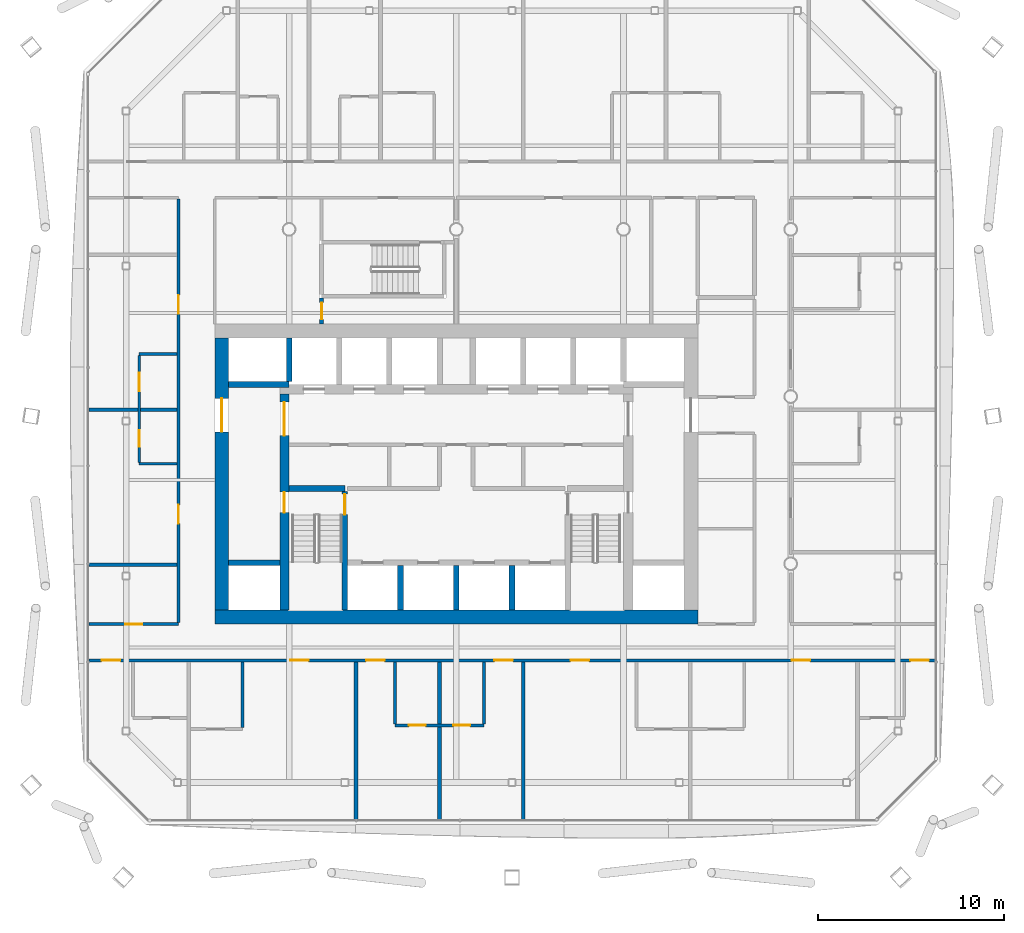
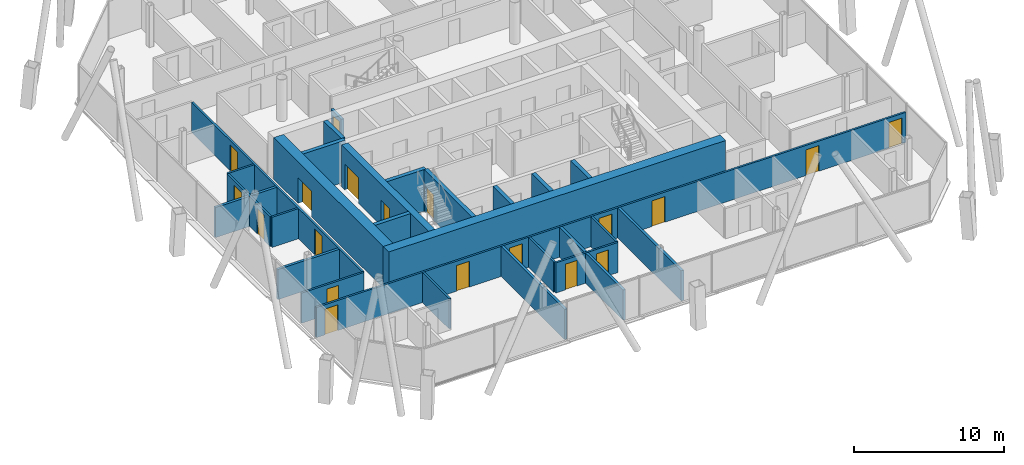
# One storey, part 14 of 23: 27 walls, 19 doors, 19 openings.
"""IFC4 building model written with IfcOpenShell, lengths in metres."""

from ifc_helpers import new_model, si_unit, direction, frame, frame_2d, origin, place, context, subcontext, project, spatial, rectangle, extrude, material, layer, layer_set, type_object, element, fill, save


model = new_model("IFC4")

# Units and contexts
model_context = context("Model", 3, precision=1e-05, world=origin(), true_north=direction((0.0, 1.0)))
body_context = subcontext(model_context, "Body", "Model", "MODEL_VIEW")
ifc_project = project(units=[si_unit("LENGTHUNIT", "METRE"), si_unit("AREAUNIT", "SQUARE_METRE"), si_unit("VOLUMEUNIT", "CUBIC_METRE"), si_unit("PLANEANGLEUNIT", "RADIAN"), si_unit("MASSUNIT", "GRAM", prefix="KILO")], contexts=[model_context])

# Site, building, storey
site_placement = place(None, origin())
site = spatial("IfcSite", under=ifc_project, at=site_placement, CompositionType="ELEMENT")
building_placement = place(site_placement, origin())
building = spatial("IfcBuilding", under=site, at=building_placement, Name="Tskaro Facet Tower", CompositionType="ELEMENT")
storey_placement = place(building_placement, frame((0.0, 0.0, 131.699951171875)))
storey = spatial("IfcBuildingStorey", under=building, at=storey_placement, Name="L31", CompositionType="ELEMENT", Elevation=131.699951171875)

# Walls
ifc_material_1 = material(Name="Concrete C60/75", Category="concrete")
ifc_layer_1 = layer(ifc_material_1, 0.300048828125, Name="Concrete C60/75")
ifc_layer_set_1 = layer_set([ifc_layer_1], Name="Concrete C60/75")
wall_type_1 = type_object("IfcWallType", Name="CORE-SHAFT", PredefinedType="SHEAR", material=ifc_layer_set_1)
wall_1_placement = place(storey_placement, frame((-12.25, -8.949951171875, 0.0), z_axis=(0.0, 0.0, 1.0), x_axis=(1.0, 0.0, 0.0)))
element("IfcWall", 1, at=wall_1_placement, inside=storey, type_object=wall_type_1, Name="Shaft wall W011", PredefinedType="SHEAR", context=body_context, shape_type="SweptSolid", body=[
    extrude(rectangle(XDim=2.75, YDim=0.300048828125, at=frame_2d((1.375, 0.0))), origin(), (0.0, 0.0, 1.0), 3.400146484375),
])
wall_2_placement = place(storey_placement, frame((-9.0, -4.949951171875, 0.0), z_axis=(0.0, 0.0, 1.0), x_axis=(1.0, 0.0, 0.0)))
element("IfcWall", 2, at=wall_2_placement, inside=storey, type_object=wall_type_1, Name="Shaft wall W016", PredefinedType="SHEAR", context=body_context, shape_type="SweptSolid", body=[
    extrude(rectangle(XDim=3.0, YDim=0.300048828125, at=frame_2d((1.5, 0.0))), origin(), (0.0, 0.0, 1.0), 3.400146484375),
])
wall_3_placement = place(storey_placement, frame((-9.0, 0.64990234375, 0.0), z_axis=(0.0, 0.0, 1.0), x_axis=(-1.0, 0.0, 0.0)))
element("IfcWall", 3, at=wall_3_placement, inside=storey, type_object=wall_type_1, Name="Shaft wall W027", PredefinedType="SHEAR", context=body_context, shape_type="SweptSolid", body=[
    extrude(rectangle(XDim=3.25, YDim=0.300048828125, at=frame_2d((1.625, 0.0))), origin(), (0.0, 0.0, 1.0), 3.400146484375),
])
wall_4_placement = place(storey_placement, frame((-9.0, 0.800048828125, 0.0), z_axis=(0.0, 0.0, 1.0), x_axis=(0.0, 1.0, 0.0)))
element("IfcWall", 4, at=wall_4_placement, inside=storey, type_object=wall_type_1, Name="Shaft wall W060", PredefinedType="SHEAR", context=body_context, shape_type="SweptSolid", body=[
    extrude(rectangle(XDim=2.349853515625, YDim=0.300048828125, at=frame_2d((1.1748046875, 0.0))), origin(), (0.0, 0.0, 1.0), 3.400146484375),
])

# Wall, opening, door
wall_5_placement = place(storey_placement, frame((-6.0, -11.5, 0.0), z_axis=(0.0, 0.0, 1.0), x_axis=(0.0, 1.0, 0.0)))
wall_5 = element("IfcWall", 5, at=wall_5_placement, inside=storey, type_object=wall_type_1, Name="Shaft wall W067", PredefinedType="SHEAR", context=body_context, shape_type="SweptSolid", body=[
    extrude(rectangle(XDim=6.39990234375, YDim=0.300048828125, at=frame_2d((3.199951171875, 0.0))), origin(), (0.0, 0.0, 1.0), 3.400146484375),
])
opening_1_placement = place(wall_5_placement, frame((5.14990234375, 0.0, 0.0)))
opening_1 = element("IfcOpeningElement", 6, at=opening_1_placement, cuts=wall_5, Name="Opening ST-1-D1", PredefinedType="OPENING", context=body_context, shape_type="SweptSolid", body=[
    extrude(rectangle(XDim=1.10009765625, YDim=2.10009765625, at=frame_2d((0.550048828125, 1.050048828125))), frame((0.0, 0.159912109375, 0.0), z_axis=(0.0, -1.0, 0.0), x_axis=(1.0, 0.0, 0.0)), (0.0, 0.0, 1.0), 0.320068359375),
])
ifc_material_2 = material(Name="Steel", Category="steel")
door_type_1 = type_object("IfcDoorType", Name="D-STAIR", OperationType="NOTDEFINED", PredefinedType="DOOR", material=ifc_material_2)
door_1_placement = place(opening_1_placement, origin())
door_1 = element("IfcDoor", 7, at=door_1_placement, inside=storey, type_object=door_type_1, Name="Stair door 1", OperationType="SINGLE_SWING_LEFT", OverallHeight=2.10009765625, OverallWidth=1.10009765625, PredefinedType="DOOR", context=body_context, shape_type="SweptSolid", body=[
    extrude(rectangle(XDim=1.10009765625, YDim=2.10009765625, at=frame_2d((0.550048828125, 1.050048828125))), frame((0.0, 0.02490234375, 0.0), z_axis=(0.0, -1.0, 0.0), x_axis=(1.0, 0.0, 0.0)), (0.0, 0.0, 1.0), 0.050048828125),
])
fill(opening_1, door_1)

# Walls
for number, where, z_axis, x_axis, name in (
    (8, (-3.0, -11.5, 0.0), (0.0, 0.0, 1.0), (0.0, 1.0, 0.0), "Shaft wall W073"),
    (9, (0.0, -11.5, 0.0), (0.0, 0.0, 1.0), (0.0, 1.0, 0.0), "Shaft wall W079"),
    (10, (3.0, -11.5, 0.0), (0.0, 0.0, 1.0), (0.0, 1.0, 0.0), "Shaft wall W085"),
):
    element("IfcWall", number, at=place(storey_placement, frame(where, z_axis=z_axis, x_axis=x_axis)), inside=storey, type_object=wall_type_1, Name=name, PredefinedType="SHEAR", context=body_context, shape_type="SweptSolid", body=[
        extrude(rectangle(XDim=2.39990234375, YDim=0.300048828125, at=frame_2d((1.199951171875, 0.0))), origin(), (0.0, 0.0, 1.0), 3.400146484375),
    ])

# Wall, openings, doors
ifc_material_3 = material(Name="Concrete C40/50", Category="concrete")
ifc_layer_2 = layer(ifc_material_3, 0.5, Name="Concrete C40/50")
ifc_layer_set_2 = layer_set([ifc_layer_2], Name="Concrete C40/50")
wall_type_2 = type_object("IfcWallType", Name="Core wall 500", PredefinedType="SHEAR", material=ifc_layer_set_2)
wall_6_placement = place(storey_placement, frame((-9.25, -11.5, 0.0), z_axis=(0.0, 0.0, 1.0), x_axis=(0.0, 1.0, 0.0)))
wall_6 = element("IfcWall", 11, at=wall_6_placement, inside=storey, type_object=wall_type_2, Name="Core wall CW-Z3W", PredefinedType="SHEAR", context=body_context, shape_type="SweptSolid", body=[
    extrude(rectangle(XDim=11.64990234375, YDim=0.5, at=frame_2d((5.824951171875, 0.0))), origin(), (0.0, 0.0, 1.0), 3.400146484375),
])
opening_2_placement = place(wall_6_placement, frame((9.39990234375, 0.0, 0.0)))
opening_2 = element("IfcOpeningElement", 12, at=opening_2_placement, cuts=wall_6, Name="Opening T9-D29", PredefinedType="OPENING", context=body_context, shape_type="SweptSolid", body=[
    extrude(rectangle(XDim=1.800048828125, YDim=2.10009765625, at=frame_2d((0.89990234375, 1.050048828125))), frame((0.0, 0.260009765625, 0.0), z_axis=(0.0, -1.0, 0.0), x_axis=(1.0, 0.0, 0.0)), (0.0, 0.0, 1.0), 0.52001953125),
])
opening_3_placement = place(wall_6_placement, frame((5.25, 0.0, 0.0)))
opening_3 = element("IfcOpeningElement", 13, at=opening_3_placement, cuts=wall_6, Name="Opening ST-1-D2", PredefinedType="OPENING", context=body_context, shape_type="SweptSolid", body=[
    extrude(rectangle(XDim=1.10009765625, YDim=2.10009765625, at=frame_2d((0.550048828125, 1.050048828125))), frame((0.0, 0.260009765625, 0.0), z_axis=(0.0, -1.0, 0.0), x_axis=(1.0, 0.0, 0.0)), (0.0, 0.0, 1.0), 0.52001953125),
])
door_type_2 = type_object("IfcDoorType", Name="D-CORE-PAIR", OperationType="NOTDEFINED", PredefinedType="DOOR", material=ifc_material_2)
door_2_placement = place(opening_2_placement, origin())
door_2 = element("IfcDoor", 14, at=door_2_placement, inside=storey, type_object=door_type_2, Name="Door T9-D29", OperationType="DOUBLE_DOOR_SINGLE_SWING", OverallHeight=2.10009765625, OverallWidth=1.800048828125, PredefinedType="DOOR", context=body_context, shape_type="SweptSolid", body=[
    extrude(rectangle(XDim=1.800048828125, YDim=2.10009765625, at=frame_2d((0.89990234375, 1.050048828125))), frame((0.0, 0.02490234375, 0.0), z_axis=(0.0, -1.0, 0.0), x_axis=(1.0, 0.0, 0.0)), (0.0, 0.0, 1.0), 0.050048828125),
])
fill(opening_2, door_2)
door_3_placement = place(opening_3_placement, origin())
door_3 = element("IfcDoor", 15, at=door_3_placement, inside=storey, type_object=door_type_1, Name="Stair door 1 west", OperationType="SINGLE_SWING_LEFT", OverallHeight=2.10009765625, OverallWidth=1.10009765625, PredefinedType="DOOR", context=body_context, shape_type="SweptSolid", body=[
    extrude(rectangle(XDim=1.10009765625, YDim=2.10009765625, at=frame_2d((0.550048828125, 1.050048828125))), frame((0.0, 0.02490234375, 0.0), z_axis=(0.0, -1.0, 0.0), x_axis=(1.0, 0.0, 0.0)), (0.0, 0.0, 1.0), 0.050048828125),
])
fill(opening_3, door_3)

# Wall
ifc_material_4 = material(Name="Concrete C50/60", Category="concrete")
ifc_layer_3 = layer(ifc_material_4, 0.75, Name="Concrete C50/60")
ifc_layer_set_3 = layer_set([ifc_layer_3], Name="Concrete C50/60")
wall_type_3 = type_object("IfcWallType", Name="Core wall 750", PredefinedType="SHEAR", material=ifc_layer_set_3)
wall_7_placement = place(storey_placement, frame((-13.0, -11.875, 0.0), z_axis=(0.0, 0.0, 1.0), x_axis=(1.0, 0.0, 0.0)))
element("IfcWall", 16, at=wall_7_placement, inside=storey, type_object=wall_type_3, Name="Core wall CW-Z2S", PredefinedType="SHEAR", context=body_context, shape_type="SweptSolid", body=[
    extrude(rectangle(XDim=26.0, YDim=0.75, at=frame_2d((13.0, 0.0))), origin(), (0.0, 0.0, 1.0), 3.400146484375),
])

# Wall, opening, door
wall_8_placement = place(storey_placement, frame((-12.625, -11.5, 0.0), z_axis=(0.0, 0.0, 1.0), x_axis=(0.0, 1.0, 0.0)))
wall_8 = element("IfcWall", 17, at=wall_8_placement, inside=storey, type_object=wall_type_3, Name="Core wall CW-Z2W", PredefinedType="SHEAR", context=body_context, shape_type="SweptSolid", body=[
    extrude(rectangle(XDim=14.64990234375, YDim=0.75, at=frame_2d((7.324951171875, 0.0))), origin(), (0.0, 0.0, 1.0), 3.400146484375),
])
opening_4_placement = place(wall_8_placement, frame((9.60009765625, 0.0, 0.0)))
opening_4 = element("IfcOpeningElement", 18, at=opening_4_placement, cuts=wall_8, Name="Opening T9-D31", PredefinedType="OPENING", context=body_context, shape_type="SweptSolid", body=[
    extrude(rectangle(XDim=1.800048828125, YDim=2.10009765625, at=frame_2d((0.89990234375, 1.050048828125))), frame((0.0, 0.385009765625, 0.0), z_axis=(0.0, -1.0, 0.0), x_axis=(1.0, 0.0, 0.0)), (0.0, 0.0, 1.0), 0.77001953125),
])
door_4_placement = place(opening_4_placement, origin())
door_4 = element("IfcDoor", 19, at=door_4_placement, inside=storey, type_object=door_type_2, Name="Door T9-D31", OperationType="DOUBLE_DOOR_SINGLE_SWING", OverallHeight=2.10009765625, OverallWidth=1.800048828125, PredefinedType="DOOR", context=body_context, shape_type="SweptSolid", body=[
    extrude(rectangle(XDim=1.800048828125, YDim=2.10009765625, at=frame_2d((0.89990234375, 1.050048828125))), frame((0.0, 0.02490234375, 0.0), z_axis=(0.0, -1.0, 0.0), x_axis=(1.0, 0.0, 0.0)), (0.0, 0.0, 1.0), 0.050048828125),
])
fill(opening_4, door_4)

# Wall, openings, doors
ifc_material_5 = material(Name="Gypsum board on steel studs", Category="steel")
ifc_layer_4 = layer(ifc_material_5, 0.14990234375, Name="Gypsum board on steel studs")
ifc_layer_set_4 = layer_set([ifc_layer_4], Name="Gypsum board on steel studs")
wall_type_4 = type_object("IfcWallType", Name="PART-CORR", PredefinedType="PARTITIONING", material=ifc_layer_set_4)
wall_9_placement = place(storey_placement, frame((-3.300048828125, -17.699951171875, 0.0), z_axis=(0.0, 0.0, 1.0), x_axis=(1.0, 0.0, 0.0)))
wall_9 = element("IfcWall", 20, at=wall_9_placement, inside=storey, type_object=wall_type_4, Name="Corridor wall W003", PredefinedType="PARTITIONING", context=body_context, shape_type="SweptSolid", body=[
    extrude(rectangle(XDim=4.800048828125, YDim=0.14990234375, at=frame_2d((2.39990234375, 0.0))), origin(), (0.0, 0.0, 1.0), 2.4599609375),
])
opening_5_placement = place(wall_9_placement, frame((0.75, 0.0, 0.0)))
opening_5 = element("IfcOpeningElement", 21, at=opening_5_placement, cuts=wall_9, Name="Opening T9-D04", PredefinedType="OPENING", context=body_context, shape_type="SweptSolid", body=[
    extrude(rectangle(XDim=0.89990234375, YDim=2.10009765625, at=frame_2d((0.449951171875, 1.050048828125))), frame((0.0, 0.0849609375, 0.0), z_axis=(0.0, -1.0, 0.0), x_axis=(1.0, 0.0, 0.0)), (0.0, 0.0, 1.0), 0.169921875),
])
opening_6_placement = place(wall_9_placement, frame((3.14990234375, 0.0, 0.0)))
opening_6 = element("IfcOpeningElement", 22, at=opening_6_placement, cuts=wall_9, Name="Opening T9-D05", PredefinedType="OPENING", context=body_context, shape_type="SweptSolid", body=[
    extrude(rectangle(XDim=0.89990234375, YDim=2.10009765625, at=frame_2d((0.449951171875, 1.050048828125))), frame((0.0, 0.0849609375, 0.0), z_axis=(0.0, -1.0, 0.0), x_axis=(1.0, 0.0, 0.0)), (0.0, 0.0, 1.0), 0.169921875),
])
ifc_material_6 = material(Name="Timber", Category="wood")
door_type_3 = type_object("IfcDoorType", Name="D-ROOM", OperationType="NOTDEFINED", PredefinedType="DOOR", material=ifc_material_6)
door_5_placement = place(opening_5_placement, origin())
door_5 = element("IfcDoor", 23, at=door_5_placement, inside=storey, type_object=door_type_3, Name="Door T9-D04", OperationType="SINGLE_SWING_LEFT", OverallHeight=2.10009765625, OverallWidth=0.89990234375, PredefinedType="DOOR", context=body_context, shape_type="SweptSolid", body=[
    extrude(rectangle(XDim=0.89990234375, YDim=2.10009765625, at=frame_2d((0.449951171875, 1.050048828125))), frame((0.0, 0.02490234375, 0.0), z_axis=(0.0, -1.0, 0.0), x_axis=(1.0, 0.0, 0.0)), (0.0, 0.0, 1.0), 0.050048828125),
])
fill(opening_5, door_5)
door_6_placement = place(opening_6_placement, origin())
door_6 = element("IfcDoor", 24, at=door_6_placement, inside=storey, type_object=door_type_3, Name="Door T9-D05", OperationType="SINGLE_SWING_LEFT", OverallHeight=2.10009765625, OverallWidth=0.89990234375, PredefinedType="DOOR", context=body_context, shape_type="SweptSolid", body=[
    extrude(rectangle(XDim=0.89990234375, YDim=2.10009765625, at=frame_2d((0.449951171875, 1.050048828125))), frame((0.0, 0.02490234375, 0.0), z_axis=(0.0, -1.0, 0.0), x_axis=(1.0, 0.0, 0.0)), (0.0, 0.0, 1.0), 0.050048828125),
])
fill(opening_6, door_6)

wall_10_placement = place(storey_placement, frame((25.77001953125, -14.199951171875, 0.0), z_axis=(0.0, 0.0, 1.0), x_axis=(-1.0, 0.0, 0.0)))
wall_10 = element("IfcWall", 25, at=wall_10_placement, inside=storey, type_object=wall_type_4, Name="Corridor wall W006", PredefinedType="PARTITIONING", context=body_context, shape_type="SweptSolid", body=[
    extrude(rectangle(XDim=45.5400390625, YDim=0.14990234375, at=frame_2d((22.77001953125, 0.0))), origin(), (0.0, 0.0, 1.0), 2.4599609375),
])
opening_7_placement = place(wall_10_placement, frame((43.8544921875, 0.0, 0.0)))
opening_7 = element("IfcOpeningElement", 26, at=opening_7_placement, cuts=wall_10, Name="Opening T9-D08", PredefinedType="OPENING", context=body_context, shape_type="SweptSolid", body=[
    extrude(rectangle(XDim=1.0, YDim=2.10009765625, at=frame_2d((0.5, 1.050048828125))), frame((0.0, 0.0849609375, 0.0), z_axis=(0.0, -1.0, 0.0), x_axis=(1.0, 0.0, 0.0)), (0.0, 0.0, 1.0), 0.169921875),
])
opening_8_placement = place(wall_10_placement, frame((33.719482421875, 0.0, 0.0)))
opening_8 = element("IfcOpeningElement", 27, at=opening_8_placement, cuts=wall_10, Name="Opening T9-D09", PredefinedType="OPENING", context=body_context, shape_type="SweptSolid", body=[
    extrude(rectangle(XDim=1.0, YDim=2.10009765625, at=frame_2d((0.5, 1.050048828125))), frame((0.0, 0.0849609375, 0.0), z_axis=(0.0, -1.0, 0.0), x_axis=(1.0, 0.0, 0.0)), (0.0, 0.0, 1.0), 0.169921875),
])
opening_9_placement = place(wall_10_placement, frame((29.6201171875, 0.0, 0.0)))
opening_9 = element("IfcOpeningElement", 28, at=opening_9_placement, cuts=wall_10, Name="Opening T9-D10", PredefinedType="OPENING", context=body_context, shape_type="SweptSolid", body=[
    extrude(rectangle(XDim=1.0, YDim=2.10009765625, at=frame_2d((0.5, 1.050048828125))), frame((0.0, 0.0849609375, 0.0), z_axis=(0.0, -1.0, 0.0), x_axis=(1.0, 0.0, 0.0)), (0.0, 0.0, 1.0), 0.169921875),
])
opening_10_placement = place(wall_10_placement, frame((22.719970703125, 0.0, 0.0)))
opening_10 = element("IfcOpeningElement", 29, at=opening_10_placement, cuts=wall_10, Name="Opening T9-D11", PredefinedType="OPENING", context=body_context, shape_type="SweptSolid", body=[
    extrude(rectangle(XDim=1.0, YDim=2.10009765625, at=frame_2d((0.5, 1.050048828125))), frame((0.0, 0.0849609375, 0.0), z_axis=(0.0, -1.0, 0.0), x_axis=(1.0, 0.0, 0.0)), (0.0, 0.0, 1.0), 0.169921875),
])
opening_11_placement = place(wall_10_placement, frame((18.6201171875, 0.0, 0.0)))
opening_11 = element("IfcOpeningElement", 30, at=opening_11_placement, cuts=wall_10, Name="Opening T9-D12", PredefinedType="OPENING", context=body_context, shape_type="SweptSolid", body=[
    extrude(rectangle(XDim=1.0, YDim=2.10009765625, at=frame_2d((0.5, 1.050048828125))), frame((0.0, 0.0849609375, 0.0), z_axis=(0.0, -1.0, 0.0), x_axis=(1.0, 0.0, 0.0)), (0.0, 0.0, 1.0), 0.169921875),
])
opening_12_placement = place(wall_10_placement, frame((6.720458984375, 0.0, 0.0)))
opening_12 = element("IfcOpeningElement", 31, at=opening_12_placement, cuts=wall_10, Name="Opening T9-D13", PredefinedType="OPENING", context=body_context, shape_type="SweptSolid", body=[
    extrude(rectangle(XDim=1.0, YDim=2.10009765625, at=frame_2d((0.5, 1.050048828125))), frame((0.0, 0.0849609375, 0.0), z_axis=(0.0, -1.0, 0.0), x_axis=(1.0, 0.0, 0.0)), (0.0, 0.0, 1.0), 0.169921875),
])
opening_13_placement = place(wall_10_placement, frame((0.325439453125, 0.0, 0.0)))
opening_13 = element("IfcOpeningElement", 32, at=opening_13_placement, cuts=wall_10, Name="Opening T9-D14", PredefinedType="OPENING", context=body_context, shape_type="SweptSolid", body=[
    extrude(rectangle(XDim=1.0, YDim=2.10009765625, at=frame_2d((0.5, 1.050048828125))), frame((0.0, 0.0849609375, 0.0), z_axis=(0.0, -1.0, 0.0), x_axis=(1.0, 0.0, 0.0)), (0.0, 0.0, 1.0), 0.169921875),
])
door_type_4 = type_object("IfcDoorType", Name="D-ENTRY", OperationType="NOTDEFINED", PredefinedType="DOOR", material=ifc_material_6)
door_7_placement = place(opening_7_placement, origin())
door_7 = element("IfcDoor", 33, at=door_7_placement, inside=storey, type_object=door_type_4, Name="Door T9-D08", OperationType="SINGLE_SWING_LEFT", OverallHeight=2.10009765625, OverallWidth=1.0, PredefinedType="DOOR", context=body_context, shape_type="SweptSolid", body=[
    extrude(rectangle(XDim=1.0, YDim=2.10009765625, at=frame_2d((0.5, 1.050048828125))), frame((0.0, 0.02490234375, 0.0), z_axis=(0.0, -1.0, 0.0), x_axis=(1.0, 0.0, 0.0)), (0.0, 0.0, 1.0), 0.050048828125),
])
fill(opening_7, door_7)
door_8_placement = place(opening_8_placement, origin())
door_8 = element("IfcDoor", 34, at=door_8_placement, inside=storey, type_object=door_type_4, Name="Door T9-D09", OperationType="SINGLE_SWING_RIGHT", OverallHeight=2.10009765625, OverallWidth=1.0, PredefinedType="DOOR", context=body_context, shape_type="SweptSolid", body=[
    extrude(rectangle(XDim=1.0, YDim=2.10009765625, at=frame_2d((0.5, 1.050048828125))), frame((0.0, 0.02490234375, 0.0), z_axis=(0.0, -1.0, 0.0), x_axis=(1.0, 0.0, 0.0)), (0.0, 0.0, 1.0), 0.050048828125),
])
fill(opening_8, door_8)
door_9_placement = place(opening_9_placement, origin())
door_9 = element("IfcDoor", 35, at=door_9_placement, inside=storey, type_object=door_type_4, Name="Door T9-D10", OperationType="SINGLE_SWING_RIGHT", OverallHeight=2.10009765625, OverallWidth=1.0, PredefinedType="DOOR", context=body_context, shape_type="SweptSolid", body=[
    extrude(rectangle(XDim=1.0, YDim=2.10009765625, at=frame_2d((0.5, 1.050048828125))), frame((0.0, 0.02490234375, 0.0), z_axis=(0.0, -1.0, 0.0), x_axis=(1.0, 0.0, 0.0)), (0.0, 0.0, 1.0), 0.050048828125),
])
fill(opening_9, door_9)
door_10_placement = place(opening_10_placement, origin())
door_10 = element("IfcDoor", 36, at=door_10_placement, inside=storey, type_object=door_type_4, Name="Door T9-D11", OperationType="SINGLE_SWING_LEFT", OverallHeight=2.10009765625, OverallWidth=1.0, PredefinedType="DOOR", context=body_context, shape_type="SweptSolid", body=[
    extrude(rectangle(XDim=1.0, YDim=2.10009765625, at=frame_2d((0.5, 1.050048828125))), frame((0.0, 0.02490234375, 0.0), z_axis=(0.0, -1.0, 0.0), x_axis=(1.0, 0.0, 0.0)), (0.0, 0.0, 1.0), 0.050048828125),
])
fill(opening_10, door_10)
door_11_placement = place(opening_11_placement, origin())
door_11 = element("IfcDoor", 37, at=door_11_placement, inside=storey, type_object=door_type_4, Name="Door T9-D12", OperationType="SINGLE_SWING_LEFT", OverallHeight=2.10009765625, OverallWidth=1.0, PredefinedType="DOOR", context=body_context, shape_type="SweptSolid", body=[
    extrude(rectangle(XDim=1.0, YDim=2.10009765625, at=frame_2d((0.5, 1.050048828125))), frame((0.0, 0.02490234375, 0.0), z_axis=(0.0, -1.0, 0.0), x_axis=(1.0, 0.0, 0.0)), (0.0, 0.0, 1.0), 0.050048828125),
])
fill(opening_11, door_11)
door_12_placement = place(opening_12_placement, origin())
door_12 = element("IfcDoor", 38, at=door_12_placement, inside=storey, type_object=door_type_4, Name="Door T9-D13", OperationType="SINGLE_SWING_RIGHT", OverallHeight=2.10009765625, OverallWidth=1.0, PredefinedType="DOOR", context=body_context, shape_type="SweptSolid", body=[
    extrude(rectangle(XDim=1.0, YDim=2.10009765625, at=frame_2d((0.5, 1.050048828125))), frame((0.0, 0.02490234375, 0.0), z_axis=(0.0, -1.0, 0.0), x_axis=(1.0, 0.0, 0.0)), (0.0, 0.0, 1.0), 0.050048828125),
])
fill(opening_12, door_12)
door_13_placement = place(opening_13_placement, origin())
door_13 = element("IfcDoor", 39, at=door_13_placement, inside=storey, type_object=door_type_4, Name="Door T9-D14", OperationType="SINGLE_SWING_LEFT", OverallHeight=2.10009765625, OverallWidth=1.0, PredefinedType="DOOR", context=body_context, shape_type="SweptSolid", body=[
    extrude(rectangle(XDim=1.0, YDim=2.10009765625, at=frame_2d((0.5, 1.050048828125))), frame((0.0, 0.02490234375, 0.0), z_axis=(0.0, -1.0, 0.0), x_axis=(1.0, 0.0, 0.0)), (0.0, 0.0, 1.0), 0.050048828125),
])
fill(opening_13, door_13)

# Wall, opening, door
wall_11_placement = place(storey_placement, frame((-19.77001953125, -12.25, 0.0), z_axis=(0.0, 0.0, 1.0), x_axis=(1.0, 0.0, 0.0)))
wall_11 = element("IfcWall", 40, at=wall_11_placement, inside=storey, type_object=wall_type_4, Name="Corridor wall W007", PredefinedType="PARTITIONING", context=body_context, shape_type="SweptSolid", body=[
    extrude(rectangle(XDim=4.820068359375, YDim=0.14990234375, at=frame_2d((2.41015625, 0.0))), origin(), (0.0, 0.0, 1.0), 2.4599609375),
])
opening_14_placement = place(wall_11_placement, frame((1.9599609375, 0.0, 0.0)))
opening_14 = element("IfcOpeningElement", 41, at=opening_14_placement, cuts=wall_11, Name="Opening T9-D15", PredefinedType="OPENING", context=body_context, shape_type="SweptSolid", body=[
    extrude(rectangle(XDim=0.89990234375, YDim=2.10009765625, at=frame_2d((0.449951171875, 1.050048828125))), frame((0.0, 0.0849609375, 0.0), z_axis=(0.0, -1.0, 0.0), x_axis=(1.0, 0.0, 0.0)), (0.0, 0.0, 1.0), 0.169921875),
])
door_14_placement = place(opening_14_placement, origin())
door_14 = element("IfcDoor", 42, at=door_14_placement, inside=storey, type_object=door_type_3, Name="Door T9-D15", OperationType="SINGLE_SWING_LEFT", OverallHeight=2.10009765625, OverallWidth=0.89990234375, PredefinedType="DOOR", context=body_context, shape_type="SweptSolid", body=[
    extrude(rectangle(XDim=0.89990234375, YDim=2.10009765625, at=frame_2d((0.449951171875, 1.050048828125))), frame((0.0, 0.02490234375, 0.0), z_axis=(0.0, -1.0, 0.0), x_axis=(1.0, 0.0, 0.0)), (0.0, 0.0, 1.0), 0.050048828125),
])
fill(opening_14, door_14)

# Walls
for number, where, z_axis, x_axis, name in (
    (43, (-17.070068359375, -3.614990234375, 0.0), (0.0, 0.0, 1.0), (1.0, 0.0, 0.0), "Corridor wall W021"),
    (44, (-17.070068359375, 2.284912109375, 0.0), (0.0, 0.0, 1.0), (1.0, 0.0, 0.0), "Corridor wall W029"),
):
    element("IfcWall", number, at=place(storey_placement, frame(where, z_axis=z_axis, x_axis=x_axis)), inside=storey, type_object=wall_type_4, Name=name, PredefinedType="PARTITIONING", context=body_context, shape_type="SweptSolid", body=[
        extrude(rectangle(XDim=2.045166015625, YDim=0.14990234375, at=frame_2d((1.0224609375, 0.0))), origin(), (0.0, 0.0, 1.0), 2.4599609375),
    ])

# Wall, openings, doors
wall_12_placement = place(storey_placement, frame((-17.070068359375, 2.2099609375, 0.0), z_axis=(0.0, 0.0, 1.0), x_axis=(0.0, -1.0, 0.0)))
wall_12 = element("IfcWall", 45, at=wall_12_placement, inside=storey, type_object=wall_type_4, Name="Corridor wall W052", PredefinedType="PARTITIONING", context=body_context, shape_type="SweptSolid", body=[
    extrude(rectangle(XDim=5.75, YDim=0.14990234375, at=frame_2d((2.875, 0.0))), origin(), (0.0, 0.0, 1.0), 2.4599609375),
])
opening_15_placement = place(wall_12_placement, frame((4.02490234375, 0.0, 0.0)))
opening_15 = element("IfcOpeningElement", 46, at=opening_15_placement, cuts=wall_12, Name="Opening T9-D26", PredefinedType="OPENING", context=body_context, shape_type="SweptSolid", body=[
    extrude(rectangle(XDim=0.89990234375, YDim=2.10009765625, at=frame_2d((0.449951171875, 1.050048828125))), frame((0.0, 0.0849609375, 0.0), z_axis=(0.0, -1.0, 0.0), x_axis=(1.0, 0.0, 0.0)), (0.0, 0.0, 1.0), 0.169921875),
])
opening_16_placement = place(wall_12_placement, frame((0.925048828125, 0.0, 0.0)))
opening_16 = element("IfcOpeningElement", 47, at=opening_16_placement, cuts=wall_12, Name="Opening T9-D36", PredefinedType="OPENING", context=body_context, shape_type="SweptSolid", body=[
    extrude(rectangle(XDim=1.0, YDim=2.10009765625, at=frame_2d((0.5, 1.050048828125))), frame((0.0, 0.0849609375, 0.0), z_axis=(0.0, -1.0, 0.0), x_axis=(1.0, 0.0, 0.0)), (0.0, 0.0, 1.0), 0.169921875),
])
door_15_placement = place(opening_15_placement, origin())
door_15 = element("IfcDoor", 48, at=door_15_placement, inside=storey, type_object=door_type_3, Name="Door T9-D26", OperationType="SINGLE_SWING_RIGHT", OverallHeight=2.10009765625, OverallWidth=0.89990234375, PredefinedType="DOOR", context=body_context, shape_type="SweptSolid", body=[
    extrude(rectangle(XDim=0.89990234375, YDim=2.10009765625, at=frame_2d((0.449951171875, 1.050048828125))), frame((0.0, 0.02490234375, 0.0), z_axis=(0.0, -1.0, 0.0), x_axis=(1.0, 0.0, 0.0)), (0.0, 0.0, 1.0), 0.050048828125),
])
fill(opening_15, door_15)
door_type_5 = type_object("IfcDoorType", Name="D-ROOM-WIDE", OperationType="NOTDEFINED", PredefinedType="DOOR", material=ifc_material_6)
door_16_placement = place(opening_16_placement, origin())
door_16 = element("IfcDoor", 49, at=door_16_placement, inside=storey, type_object=door_type_5, Name="Door T9-D36", OperationType="SINGLE_SWING_RIGHT", OverallHeight=2.10009765625, OverallWidth=1.0, PredefinedType="DOOR", context=body_context, shape_type="SweptSolid", body=[
    extrude(rectangle(XDim=1.0, YDim=2.10009765625, at=frame_2d((0.5, 1.050048828125))), frame((0.0, 0.02490234375, 0.0), z_axis=(0.0, -1.0, 0.0), x_axis=(1.0, 0.0, 0.0)), (0.0, 0.0, 1.0), 0.050048828125),
])
fill(opening_16, door_16)

wall_13_placement = place(storey_placement, frame((-14.949951171875, -12.175048828125, 0.0), z_axis=(0.0, 0.0, 1.0), x_axis=(0.0, 1.0, 0.0)))
wall_13 = element("IfcWall", 50, at=wall_13_placement, inside=storey, type_object=wall_type_4, Name="Corridor wall W053", PredefinedType="PARTITIONING", context=body_context, shape_type="SweptSolid", body=[
    extrude(rectangle(XDim=22.800048828125, YDim=0.14990234375, at=frame_2d((11.39990234375, 0.0))), origin(), (0.0, 0.0, 1.0), 2.4599609375),
])
opening_17_placement = place(wall_13_placement, frame((5.339111328125, 0.0, 0.0)))
opening_17 = element("IfcOpeningElement", 51, at=opening_17_placement, cuts=wall_13, Name="Opening T9-D20", PredefinedType="OPENING", context=body_context, shape_type="SweptSolid", body=[
    extrude(rectangle(XDim=1.0, YDim=2.10009765625, at=frame_2d((0.5, 1.050048828125))), frame((0.0, 0.0849609375, 0.0), z_axis=(0.0, -1.0, 0.0), x_axis=(1.0, 0.0, 0.0)), (0.0, 0.0, 1.0), 0.169921875),
])
opening_18_placement = place(wall_13_placement, frame((16.630615234375, 0.0, 0.0)))
opening_18 = element("IfcOpeningElement", 52, at=opening_18_placement, cuts=wall_13, Name="Opening T9-D39", PredefinedType="OPENING", context=body_context, shape_type="SweptSolid", body=[
    extrude(rectangle(XDim=1.0, YDim=2.10009765625, at=frame_2d((0.5, 1.050048828125))), frame((0.0, 0.0849609375, 0.0), z_axis=(0.0, -1.0, 0.0), x_axis=(1.0, 0.0, 0.0)), (0.0, 0.0, 1.0), 0.169921875),
])
door_17_placement = place(opening_17_placement, origin())
door_17 = element("IfcDoor", 53, at=door_17_placement, inside=storey, type_object=door_type_4, Name="Door T9-D20", OperationType="SINGLE_SWING_RIGHT", OverallHeight=2.10009765625, OverallWidth=1.0, PredefinedType="DOOR", context=body_context, shape_type="SweptSolid", body=[
    extrude(rectangle(XDim=1.0, YDim=2.10009765625, at=frame_2d((0.5, 1.050048828125))), frame((0.0, 0.02490234375, 0.0), z_axis=(0.0, -1.0, 0.0), x_axis=(1.0, 0.0, 0.0)), (0.0, 0.0, 1.0), 0.050048828125),
])
fill(opening_17, door_17)
door_18_placement = place(opening_18_placement, origin())
door_18 = element("IfcDoor", 54, at=door_18_placement, inside=storey, type_object=door_type_4, Name="Door T9-D39", OperationType="SINGLE_SWING_LEFT", OverallHeight=2.10009765625, OverallWidth=1.0, PredefinedType="DOOR", context=body_context, shape_type="SweptSolid", body=[
    extrude(rectangle(XDim=1.0, YDim=2.10009765625, at=frame_2d((0.5, 1.050048828125))), frame((0.0, 0.02490234375, 0.0), z_axis=(0.0, -1.0, 0.0), x_axis=(1.0, 0.0, 0.0)), (0.0, 0.0, 1.0), 0.050048828125),
])
fill(opening_18, door_18)

# Walls
wall_14_placement = place(storey_placement, frame((-11.4990234375, -17.824951171875, 0.0), z_axis=(0.0, 0.0, 1.0), x_axis=(0.0, 1.0, 0.0)))
element("IfcWall", 55, at=wall_14_placement, inside=storey, type_object=wall_type_4, Name="Corridor wall W058", PredefinedType="PARTITIONING", context=body_context, shape_type="SweptSolid", body=[
    extrude(rectangle(XDim=3.550048828125, YDim=0.14990234375, at=frame_2d((1.77490234375, 0.0))), origin(), (0.0, 0.0, 1.0), 2.4599609375),
])
for number, where, z_axis, x_axis, name in (
    (56, (-3.300048828125, -17.625, 0.0), (0.0, 0.0, 1.0), (0.0, 1.0, 0.0), "Corridor wall W072"),
    (57, (1.5, -17.625, 0.0), (0.0, 0.0, 1.0), (0.0, 1.0, 0.0), "Corridor wall W084"),
):
    element("IfcWall", number, at=place(storey_placement, frame(where, z_axis=z_axis, x_axis=x_axis)), inside=storey, type_object=wall_type_4, Name=name, PredefinedType="PARTITIONING", context=body_context, shape_type="SweptSolid", body=[
        extrude(rectangle(XDim=3.35009765625, YDim=0.14990234375, at=frame_2d((1.675048828125, 0.0))), origin(), (0.0, 0.0, 1.0), 2.4599609375),
    ])
ifc_layer_5 = layer(ifc_material_5, 0.199951171875, Name="Gypsum board on steel studs")
ifc_layer_set_5 = layer_set([ifc_layer_5], Name="Gypsum board on steel studs")
wall_type_5 = type_object("IfcWallType", Name="PART-DEMISING", PredefinedType="PARTITIONING", material=ifc_layer_set_5)
for number, where, z_axis, x_axis, name in (
    (58, (-19.77001953125, -9.056884765625, 0.0), (0.0, 0.0, 1.0), (1.0, 0.0, 0.0), "Guest room wall W010"),
    (59, (-19.77001953125, -0.715087890625, 0.0), (0.0, 0.0, 1.0), (1.0, 0.0, 0.0), "Guest room wall W025"),
):
    element("IfcWall", number, at=place(storey_placement, frame(where, z_axis=z_axis, x_axis=x_axis)), inside=storey, type_object=wall_type_5, Name=name, PredefinedType="PARTITIONING", context=body_context, shape_type="SweptSolid", body=[
        extrude(rectangle(XDim=4.7451171875, YDim=0.199951171875, at=frame_2d((2.37255859375, 0.0))), origin(), (0.0, 0.0, 1.0), 2.4599609375),
    ])
for number, where, z_axis, x_axis, name in (
    (60, (-5.39990234375, -22.77001953125, 0.0), (0.0, 0.0, 1.0), (0.0, 1.0, 0.0), "Guest room wall W068"),
    (61, (-0.89990234375, -22.77001953125, 0.0), (0.0, 0.0, 1.0), (0.0, 1.0, 0.0), "Guest room wall W075"),
    (62, (3.60009765625, -22.77001953125, 0.0), (0.0, 0.0, 1.0), (0.0, 1.0, 0.0), "Guest room wall W086"),
):
    element("IfcWall", number, at=place(storey_placement, frame(where, z_axis=z_axis, x_axis=x_axis)), inside=storey, type_object=wall_type_5, Name=name, PredefinedType="PARTITIONING", context=body_context, shape_type="SweptSolid", body=[
        extrude(rectangle(XDim=8.4951171875, YDim=0.199951171875, at=frame_2d((4.24755859375, 0.0))), origin(), (0.0, 0.0, 1.0), 2.4599609375),
    ])

# Wall, opening, door
ifc_material_7 = material(Name="Concrete C20/25", Category="concrete")
ifc_layer_6 = layer(ifc_material_7, 0.199951171875, Name="Concrete C20/25")
ifc_layer_set_6 = layer_set([ifc_layer_6], Name="Concrete C20/25")
wall_type_6 = type_object("IfcWallType", Name="WALL-RISER", PredefinedType="SOLIDWALL", material=ifc_layer_set_6)
wall_15_placement = place(storey_placement, frame((-7.25, 5.300048828125, 0.0), z_axis=(0.0, 0.0, 1.0), x_axis=(0.0, -1.0, 0.0)))
wall_15 = element("IfcWall", 63, at=wall_15_placement, inside=storey, type_object=wall_type_6, Name="Riser room wall W062", PredefinedType="SOLIDWALL", context=body_context, shape_type="SweptSolid", body=[
    extrude(rectangle(XDim=1.400146484375, YDim=0.199951171875, at=frame_2d((0.7001953125, 0.0))), origin(), (0.0, 0.0, 1.0), 2.4599609375),
])
opening_19_placement = place(wall_15_placement, frame((0.25, 0.0, 0.0)))
opening_19 = element("IfcOpeningElement", 64, at=opening_19_placement, cuts=wall_15, Name="Opening T9-D38", PredefinedType="OPENING", context=body_context, shape_type="SweptSolid", body=[
    extrude(rectangle(XDim=0.89990234375, YDim=2.10009765625, at=frame_2d((0.449951171875, 1.050048828125))), frame((0.0, 0.10986328125, 0.0), z_axis=(0.0, -1.0, 0.0), x_axis=(1.0, 0.0, 0.0)), (0.0, 0.0, 1.0), 0.219970703125),
])
door_type_6 = type_object("IfcDoorType", Name="D-RISER", OperationType="NOTDEFINED", PredefinedType="DOOR", material=ifc_material_2)
door_19_placement = place(opening_19_placement, origin())
door_19 = element("IfcDoor", 65, at=door_19_placement, inside=storey, type_object=door_type_6, Name="Door T9-D38", OperationType="SINGLE_SWING_RIGHT", OverallHeight=2.10009765625, OverallWidth=0.89990234375, PredefinedType="DOOR", context=body_context, shape_type="SweptSolid", body=[
    extrude(rectangle(XDim=0.89990234375, YDim=2.10009765625, at=frame_2d((0.449951171875, 1.050048828125))), frame((0.0, 0.02490234375, 0.0), z_axis=(0.0, -1.0, 0.0), x_axis=(1.0, 0.0, 0.0)), (0.0, 0.0, 1.0), 0.050048828125),
])
fill(opening_19, door_19)

save(model, "model.ifc")
